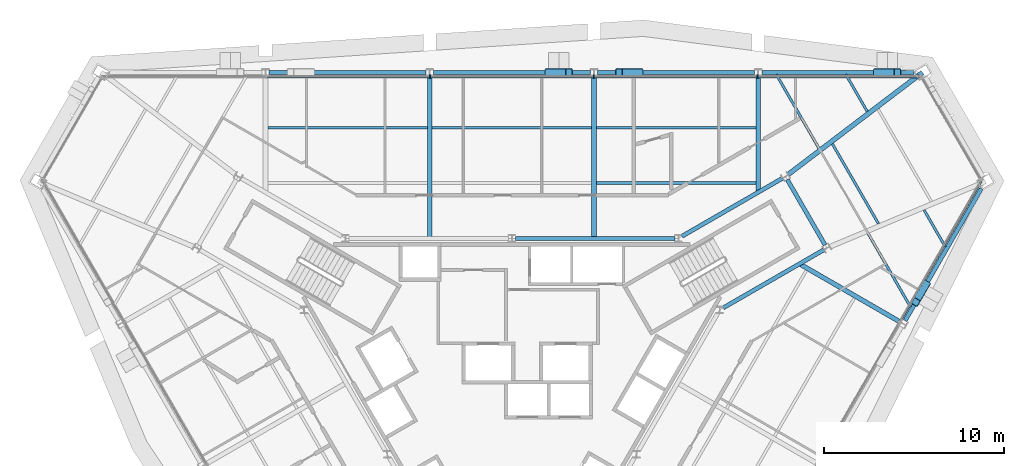
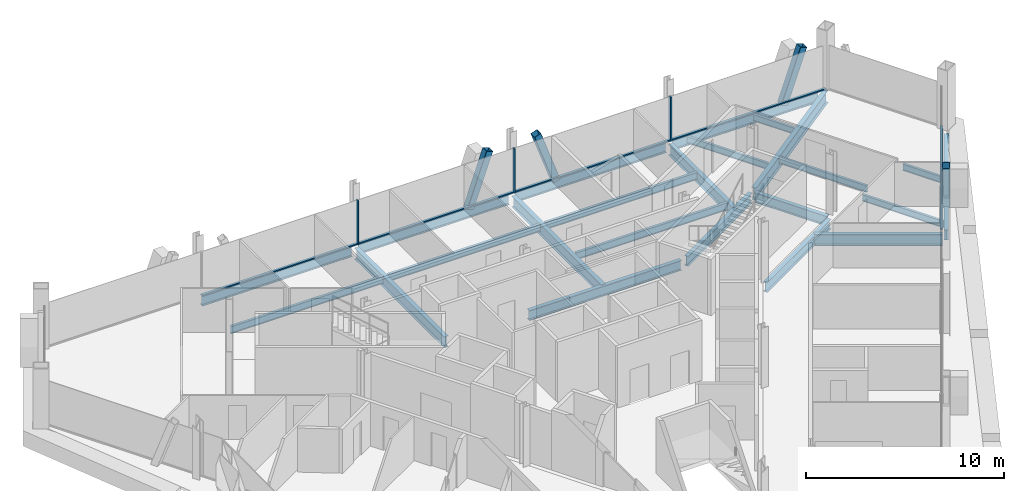
# One storey, part 7 of 15: 23 beams, 12 members, 2 elements without a shape of their own.
"""IFC4 building model written with IfcOpenShell, lengths in metres."""

from ifc_helpers import new_model, si_unit, direction, frame, origin, origin_2d, place, context, subcontext, project, spatial, rectangle, hollow_rectangle, i_section, extrude, material, material_profile, profile_set, type_object, element, aggregate, save


model = new_model("IFC4")

# Units and contexts
model_context = context("Model", 3, precision=1e-05, world=origin(), true_north=direction((0.0, 1.0)))
body_context = subcontext(model_context, "Body", "Model", "MODEL_VIEW")
ifc_project = project(units=[si_unit("LENGTHUNIT", "METRE"), si_unit("AREAUNIT", "SQUARE_METRE"), si_unit("VOLUMEUNIT", "CUBIC_METRE"), si_unit("PLANEANGLEUNIT", "RADIAN"), si_unit("MASSUNIT", "GRAM", prefix="KILO")], contexts=[model_context])

# Site, building, storey
site_placement = place(None, origin())
site = spatial("IfcSite", under=ifc_project, at=site_placement, CompositionType="ELEMENT")
building_placement = place(site_placement, origin())
building = spatial("IfcBuilding", under=site, at=building_placement, Name="Verrane Prism Tower", CompositionType="ELEMENT")
storey_placement = place(building_placement, frame((0.0, 0.0, 250.800048828125)))
storey = spatial("IfcBuildingStorey", under=building, at=storey_placement, Name="L63", CompositionType="ELEMENT", Elevation=250.800048828125)

# Beams
ifc_material_1 = material(Name="Steel A992", Category="steel")
ifc_material_profile_1 = material_profile(ifc_material_1, i_section(OverallWidth=0.23046875, OverallDepth=0.6171875, WebThickness=0.01318359375, FlangeThickness=0.022216796875, FilletRadius=0.012939453125, at=origin_2d()), Name="W24x94")
ifc_profile_set_1 = profile_set([ifc_material_profile_1], Name="Steel A992")
beam_type_1 = type_object("IfcBeamType", Name="Core ring girder W24x94", PredefinedType="BEAM", material=ifc_profile_set_1)
beam_1_placement = place(storey_placement, frame((11.759521484375, 4.135009765625, -0.55859375), z_axis=(0.866080992722, 0.499903704773, 0.0), x_axis=(-0.499903704773, 0.866080992722, 0.0)))
element("IfcBeam", 1, at=beam_1_placement, inside=storey, type_object=beam_type_1, Name="Core ring girder L63", PredefinedType="BEAM", context=body_context, shape_type="SweptSolid", body=[
    extrude(i_section(OverallWidth=0.23046875, OverallDepth=0.6171875, WebThickness=0.01318359375, FlangeThickness=0.022216796875, FilletRadius=0.012939453125, at=origin_2d()), origin(), (0.0, 0.0, 1.0), 6.451904296875),
])
beam_2_placement = place(storey_placement, frame((17.419677734375, 7.6337890625, -0.55859375), z_axis=(-0.500375511519, 0.865808493532, 0.0), x_axis=(-0.865808493532, -0.500375511519, 0.0)))
element("IfcBeam", 2, at=beam_2_placement, inside=storey, type_object=beam_type_1, Name="Core ring girder L63", PredefinedType="BEAM", context=body_context, shape_type="SweptSolid", body=[
    extrude(i_section(OverallWidth=0.23046875, OverallDepth=0.6171875, WebThickness=0.01318359375, FlangeThickness=0.022216796875, FilletRadius=0.012939453125, at=origin_2d()), origin(), (0.0, 0.0, 1.0), 4.195556640625),
])
beam_3_placement = place(storey_placement, frame((15.04736328125, 11.34033203125, -0.55859375), z_axis=(-0.866080992722, -0.499903704773, 0.0), x_axis=(0.499903704773, -0.866080992722, 0.0)))
element("IfcBeam", 3, at=beam_3_placement, inside=storey, type_object=beam_type_1, Name="Core ring girder L63", PredefinedType="BEAM", context=body_context, shape_type="SweptSolid", body=[
    extrude(i_section(OverallWidth=0.23046875, OverallDepth=0.6171875, WebThickness=0.01318359375, FlangeThickness=0.022216796875, FilletRadius=0.012939453125, at=origin_2d()), origin(), (0.0, 0.0, 1.0), 6.451904296875),
])
beam_4_placement = place(storey_placement, frame((9.060546875, 8.0, -0.55859375), z_axis=(-1.0, 0.0, 0.0), x_axis=(0.0, -1.0, 0.0)))
element("IfcBeam", 4, at=beam_4_placement, inside=storey, type_object=beam_type_1, Name="Core ring girder L63", PredefinedType="BEAM", context=body_context, shape_type="SweptSolid", body=[
    extrude(i_section(OverallWidth=0.23046875, OverallDepth=0.6171875, WebThickness=0.01318359375, FlangeThickness=0.022216796875, FilletRadius=0.012939453125, at=origin_2d()), origin(), (0.0, 0.0, 1.0), 8.861083984375),
])
ifc_material_2 = material(Name="Steel A992", Category="steel")
ifc_material_profile_2 = material_profile(ifc_material_2, i_section(OverallWidth=0.2666015625, OverallDepth=0.76708984375, WebThickness=0.014892578125, FlangeThickness=0.023681640625, FilletRadius=0.0166015625, at=origin_2d()), Name="W30x124")
ifc_profile_set_2 = profile_set([ifc_material_profile_2], Name="Steel A992")
beam_type_2 = type_object("IfcBeamType", Name="Corner girder W30x124", PredefinedType="BEAM", material=ifc_profile_set_2)
beam_5_placement = place(storey_placement, frame((22.838134765625, 17.228515625, -0.603515625), z_axis=(-0.796227983739, -0.604996692479, 0.0), x_axis=(0.604996692479, -0.796227983739, 0.0)))
element("IfcBeam", 5, at=beam_5_placement, inside=storey, type_object=beam_type_2, Name="Corner girder L63", PredefinedType="BEAM", context=body_context, shape_type="SweptSolid", body=[
    extrude(i_section(OverallWidth=0.2666015625, OverallDepth=0.76708984375, WebThickness=0.014892578125, FlangeThickness=0.023681640625, FilletRadius=0.0166015625, at=origin_2d()), origin(), (0.0, 0.0, 1.0), 9.366943359375),
])

# Members
ifc_material_3 = material(Name="Steel A500 Grade C", Category="steel")
ifc_material_profile_3 = material_profile(ifc_material_3, hollow_rectangle(XDim=0.406494140625, YDim=0.406494140625, WallThickness=0.01904296875, InnerFilletRadius=0.009521484375, OuterFilletRadius=0.028564453125, at=origin_2d()), Name="HSS16x16x3/4")
ifc_profile_set_3 = profile_set([ifc_material_profile_3], Name="Steel A500 Grade C")
member_type_1 = type_object("IfcMemberType", Name="Facade brace HSS16x16x3/4", PredefinedType="BRACE", material=ifc_profile_set_3)
member_1_placement = place(storey_placement, frame((20.3173828125, 17.22998046875, -0.216796875), z_axis=(0.332774905178, 0.0, 0.943006289737), x_axis=(0.0, 1.0, 0.0)))
element("IfcMember", 6, at=member_1_placement, inside=storey, type_object=member_type_1, Name="Facade brace N0 L63", PredefinedType="BRACE", context=body_context, shape_type="SweptSolid", body=[
    extrude(hollow_rectangle(XDim=0.406494140625, YDim=0.406494140625, WallThickness=0.01904296875, InnerFilletRadius=0.009521484375, OuterFilletRadius=0.028564453125, at=origin_2d()), origin(), (0.0, 0.0, 1.0), 3.389404296875),
])
member_2_placement = place(storey_placement, frame((7.08984375, 17.22998046875, -0.216796875), z_axis=(-0.332454583869, 0.0, 0.943119265875), x_axis=(0.0, -1.0, 0.0)))
element("IfcMember", 7, at=member_2_placement, inside=storey, type_object=member_type_1, Name="Facade brace N1 L63", PredefinedType="BRACE", context=body_context, shape_type="SweptSolid", body=[
    extrude(hollow_rectangle(XDim=0.406494140625, YDim=0.406494140625, WallThickness=0.01904296875, InnerFilletRadius=0.009521484375, OuterFilletRadius=0.028564453125, at=origin_2d()), origin(), (0.0, 0.0, 1.0), 3.38916015625),
])
for number, where, z_axis, x_axis, name in (
    (8, (2.047607421875, 17.22998046875, -0.216796875), (0.332710850126, 0.0, 0.943028891502), (0.0, 1.0, 0.0), "Facade brace N2 L63"),
    (9, (23.03125, 5.43310546875, -0.216796875), (-0.16639448811, -0.288056951494, 0.943046163781), (0.865915093549, -0.500191014278, 0.0), "Facade brace SE4 L63"),
):
    element("IfcMember", number, at=place(storey_placement, frame(where, z_axis=z_axis, x_axis=x_axis)), inside=storey, type_object=member_type_1, Name=name, PredefinedType="BRACE", context=body_context, shape_type="SweptSolid", body=[
        extrude(hollow_rectangle(XDim=0.406494140625, YDim=0.406494140625, WallThickness=0.01904296875, InnerFilletRadius=0.009521484375, OuterFilletRadius=0.028564453125, at=origin_2d()), origin(), (0.0, 0.0, 1.0), 3.389404296875),
    ])

# Beams
ifc_material_4 = material(Name="Steel A992", Category="steel")
ifc_material_profile_4 = material_profile(ifc_material_4, i_section(OverallWidth=0.140380859375, OverallDepth=0.40380859375, WebThickness=0.007080078125, FlangeThickness=0.01123046875, FilletRadius=0.01025390625, at=origin_2d()), Name="W16x31")
ifc_profile_set_4 = profile_set([ifc_material_profile_4], Name="Steel A992")
beam_type_3 = type_object("IfcBeamType", Name="Floor beam W16x31", PredefinedType="BEAM", material=ifc_profile_set_4)
beam_6_placement = place(storey_placement, frame((19.7626953125, 15.0595703125, -0.362060546875), z_axis=(-0.499945073215, 0.866057113456, 0.0), x_axis=(-0.866057113456, -0.499945073215, 0.0)))
element("IfcBeam", 10, at=beam_6_placement, inside=storey, type_object=beam_type_3, Name="Floor beam L63", PredefinedType="BEAM", context=body_context, shape_type="SweptSolid", body=[
    extrude(i_section(OverallWidth=0.140380859375, OverallDepth=0.40380859375, WebThickness=0.007080078125, FlangeThickness=0.01123046875, FilletRadius=0.01025390625, at=origin_2d()), origin(), (0.0, 0.0, 1.0), 2.373291015625),
])
beam_7_placement = place(storey_placement, frame((17.073974609375, 13.016357421875, -0.362060546875), z_axis=(-0.499978475836, 0.86603783041, 0.0), x_axis=(-0.86603783041, -0.499978475836, 0.0)))
element("IfcBeam", 11, at=beam_7_placement, inside=storey, type_object=beam_type_3, Name="Floor beam L63", PredefinedType="BEAM", context=body_context, shape_type="SweptSolid", body=[
    extrude(i_section(OverallWidth=0.140380859375, OverallDepth=0.40380859375, WebThickness=0.007080078125, FlangeThickness=0.01123046875, FilletRadius=0.01025390625, at=origin_2d()), origin(), (0.0, 0.0, 1.0), 4.732666015625),
])
beam_8_placement = place(storey_placement, frame((24.10888671875, 7.528076171875, -0.362060546875), z_axis=(-0.500025443912, 0.866010713236, 0.0), x_axis=(-0.866010713236, -0.500025443912, 0.0)))
element("IfcBeam", 12, at=beam_8_placement, inside=storey, type_object=beam_type_3, Name="Floor beam L63", PredefinedType="BEAM", context=body_context, shape_type="SweptSolid", body=[
    extrude(i_section(OverallWidth=0.140380859375, OverallDepth=0.40380859375, WebThickness=0.007080078125, FlangeThickness=0.01123046875, FilletRadius=0.01025390625, at=origin_2d()), origin(), (0.0, 0.0, 1.0), 2.37158203125),
])
beam_9_placement = place(storey_placement, frame((22.175048828125, 4.180908203125, -0.362060546875), z_axis=(-0.49998166818, 0.866035987407, 0.0), x_axis=(-0.866035987407, -0.49998166818, 0.0)))
element("IfcBeam", 13, at=beam_9_placement, inside=storey, type_object=beam_type_3, Name="Floor beam L63", PredefinedType="BEAM", context=body_context, shape_type="SweptSolid", body=[
    extrude(i_section(OverallWidth=0.140380859375, OverallDepth=0.40380859375, WebThickness=0.007080078125, FlangeThickness=0.01123046875, FilletRadius=0.01025390625, at=origin_2d()), origin(), (0.0, 0.0, 1.0), 4.728759765625),
])
beam_10_placement = place(storey_placement, frame((20.392822265625, 8.809814453125, -0.362060546875), z_axis=(-0.499987429501, 0.866032661244, 0.0), x_axis=(-0.866032661244, -0.499987429501, 0.0)))
element("IfcBeam", 14, at=beam_10_placement, inside=storey, type_object=beam_type_3, Name="Floor beam L63", PredefinedType="BEAM", context=body_context, shape_type="SweptSolid", body=[
    extrude(i_section(OverallWidth=0.140380859375, OverallDepth=0.40380859375, WebThickness=0.007080078125, FlangeThickness=0.01123046875, FilletRadius=0.01025390625, at=origin_2d()), origin(), (0.0, 0.0, 1.0), 5.131103515625),
])
ifc_material_5 = material(Name="Steel A992", Category="steel")
ifc_material_profile_5 = material_profile(ifc_material_5, i_section(OverallWidth=0.15234375, OverallDepth=0.449462890625, WebThickness=0.007568359375, FlangeThickness=0.0107421875, FilletRadius=0.01025390625, at=origin_2d()), Name="W18x35")
ifc_profile_set_5 = profile_set([ifc_material_profile_5], Name="Steel A992")
beam_type_4 = type_object("IfcBeamType", Name="Floor beam W18x35", PredefinedType="BEAM", material=ifc_profile_set_5)
for number, where, z_axis, x_axis, name in (
    (15, (4.697021484375, 11.07666015625, -0.384765625), (1.0, 0.0, 0.0), (0.0, 1.0, 0.0), "Floor beam L63"),
    (16, (4.697021484375, 14.1533203125, -0.384765625), (1.0, 0.0, 0.0), (0.0, 1.0, 0.0), "Floor beam L63"),
):
    element("IfcBeam", number, at=place(storey_placement, frame(where, z_axis=z_axis, x_axis=x_axis)), inside=storey, type_object=beam_type_4, Name=name, PredefinedType="BEAM", context=body_context, shape_type="SweptSolid", body=[
        extrude(i_section(OverallWidth=0.15234375, OverallDepth=0.449462890625, WebThickness=0.007568359375, FlangeThickness=0.0107421875, FilletRadius=0.01025390625, at=origin_2d()), origin(), (0.0, 0.0, 1.0), 8.8759765625),
    ])
beam_11_placement = place(storey_placement, frame((-4.443115234375, 14.1533203125, -0.384765625), z_axis=(1.0, 0.0, 0.0), x_axis=(0.0, 1.0, 0.0)))
element("IfcBeam", 17, at=beam_11_placement, inside=storey, type_object=beam_type_4, Name="Floor beam L63", PredefinedType="BEAM", context=body_context, shape_type="SweptSolid", body=[
    extrude(i_section(OverallWidth=0.15234375, OverallDepth=0.449462890625, WebThickness=0.007568359375, FlangeThickness=0.0107421875, FilletRadius=0.01025390625, at=origin_2d()), origin(), (0.0, 0.0, 1.0), 8.88623046875),
])
beam_12_placement = place(storey_placement, frame((-13.572998046875, 14.1533203125, -0.384765625), z_axis=(1.0, 0.0, 0.0), x_axis=(0.0, 1.0, 0.0)))
element("IfcBeam", 18, at=beam_12_placement, inside=storey, type_object=beam_type_4, Name="Floor beam L63", PredefinedType="BEAM", context=body_context, shape_type="SweptSolid", body=[
    extrude(i_section(OverallWidth=0.15234375, OverallDepth=0.449462890625, WebThickness=0.007568359375, FlangeThickness=0.0107421875, FilletRadius=0.01025390625, at=origin_2d()), origin(), (0.0, 0.0, 1.0), 8.8759765625),
])

# Curtain wall, members
ifc_material_6 = material(Name="Aluminium framed insulated glazing", Category="aluminium")
curtain_wall_type = type_object("IfcCurtainWallType", Name="Curtain wall CW-A 8400 module", PredefinedType="NOTDEFINED", material=ifc_material_6)
curtain_wall_1_placement = place(storey_placement, origin())
curtain_wall_1 = element("IfcCurtainWall", 19, at=curtain_wall_1_placement, inside=storey, type_object=curtain_wall_type, Name="Glazed curtain wall north face L63", PredefinedType="NOTDEFINED")
ifc_material_7 = material(Name="Aluminium alloy 6063-T6", Category="aluminium")
ifc_material_profile_6 = material_profile(ifc_material_7, rectangle(XDim=0.199951171875, YDim=0.070068359375, at=origin_2d()), Name="Mullion 70x200 aluminium")
ifc_profile_set_6 = profile_set([ifc_material_profile_6], Name="Aluminium alloy 6063-T6")
member_type_2 = type_object("IfcMemberType", Name="Mullion 70x200 aluminium", PredefinedType="MULLION", material=ifc_profile_set_6)
member_3_placement = place(storey_placement, frame((13.658447265625, 17.001708984375, 0.0), z_axis=(0.0, 0.0, 1.0), x_axis=(0.0, -1.0, 0.0)))
member_3 = element("IfcMember", 20, at=member_3_placement, type_object=member_type_2, Name="CW62.2 mullion 2", PredefinedType="MULLION", context=body_context, shape_type="SweptSolid", body=[
    extrude(rectangle(XDim=0.199951171875, YDim=0.070068359375, at=origin_2d()), origin(), (0.0, 0.0, 1.0), 2.712890625),
])
member_4_placement = place(storey_placement, frame((4.552734375, 17.001708984375, 0.0), z_axis=(0.0, 0.0, 1.0), x_axis=(0.0, -1.0, 0.0)))
member_4 = element("IfcMember", 21, at=member_4_placement, type_object=member_type_2, Name="CW62.2 mullion 3", PredefinedType="MULLION", context=body_context, shape_type="SweptSolid", body=[
    extrude(rectangle(XDim=0.199951171875, YDim=0.070068359375, at=origin_2d()), origin(), (0.0, 0.0, 1.0), 2.712890625),
])
member_5_placement = place(storey_placement, frame((-4.552734375, 17.001708984375, 0.0), z_axis=(0.0, 0.0, 1.0), x_axis=(0.0, -1.0, 0.0)))
member_5 = element("IfcMember", 22, at=member_5_placement, type_object=member_type_2, Name="CW62.2 mullion 4", PredefinedType="MULLION", context=body_context, shape_type="SweptSolid", body=[
    extrude(rectangle(XDim=0.199951171875, YDim=0.070068359375, at=origin_2d()), origin(), (0.0, 0.0, 1.0), 2.712890625),
])

# Beams
ifc_material_8 = material(Name="Steel A992", Category="steel")
ifc_material_profile_7 = material_profile(ifc_material_8, i_section(OverallWidth=0.25390625, OverallDepth=0.683349609375, WebThickness=0.012451171875, FlangeThickness=0.01904296875, FilletRadius=0.01513671875, at=origin_2d()), Name="W27x94")
ifc_profile_set_7 = profile_set([ifc_material_profile_7], Name="Steel A992")
beam_type_5 = type_object("IfcBeamType", Name="Radial girder W27x94", PredefinedType="BEAM", material=ifc_profile_set_7)
beam_13_placement = place(storey_placement, frame((13.699951171875, 17.037109375, -0.561767578125), z_axis=(0.0, -1.0, 0.0), x_axis=(1.0, 0.0, 0.0)))
element("IfcBeam", 23, at=beam_13_placement, inside=storey, type_object=beam_type_5, Name="Radial girder L63", PredefinedType="BEAM", context=body_context, shape_type="SweptSolid", body=[
    extrude(i_section(OverallWidth=0.25390625, OverallDepth=0.683349609375, WebThickness=0.012451171875, FlangeThickness=0.01904296875, FilletRadius=0.01513671875, at=origin_2d()), origin(), (0.0, 0.0, 1.0), 6.474365234375),
])
for number, where, z_axis, x_axis, name in (
    (24, (4.570068359375, 17.037109375, -0.561767578125), (0.0, -1.0, 0.0), (1.0, 0.0, 0.0), "Radial girder L63"),
    (25, (-4.570068359375, 17.037109375, -0.561767578125), (0.0, -1.0, 0.0), (1.0, 0.0, 0.0), "Radial girder L63"),
):
    element("IfcBeam", number, at=place(storey_placement, frame(where, z_axis=z_axis, x_axis=x_axis)), inside=storey, type_object=beam_type_5, Name=name, PredefinedType="BEAM", context=body_context, shape_type="SweptSolid", body=[
        extrude(i_section(OverallWidth=0.25390625, OverallDepth=0.683349609375, WebThickness=0.012451171875, FlangeThickness=0.01904296875, FilletRadius=0.01513671875, at=origin_2d()), origin(), (0.0, 0.0, 1.0), 9.037109375),
    ])
beam_14_placement = place(storey_placement, frame((21.602783203125, 3.346435546875, -0.561767578125), z_axis=(-0.866017203851, 0.500014202433, 0.0), x_axis=(-0.500014202433, -0.866017203851, 0.0)))
element("IfcBeam", 26, at=beam_14_placement, inside=storey, type_object=beam_type_5, Name="Radial girder L63", PredefinedType="BEAM", context=body_context, shape_type="SweptSolid", body=[
    extrude(i_section(OverallWidth=0.25390625, OverallDepth=0.683349609375, WebThickness=0.012451171875, FlangeThickness=0.01904296875, FilletRadius=0.01513671875, at=origin_2d()), origin(), (0.0, 0.0, 1.0), 6.470947265625),
])
ifc_material_9 = material(Name="Steel A992", Category="steel")
ifc_material_profile_8 = material_profile(ifc_material_9, i_section(OverallWidth=0.23046875, OverallDepth=0.6171875, WebThickness=0.01318359375, FlangeThickness=0.022216796875, FilletRadius=0.012939453125, at=origin_2d()), Name="W24x94")
ifc_profile_set_8 = profile_set([ifc_material_profile_8], Name="Steel A992")
beam_type_6 = type_object("IfcBeamType", Name="Spandrel beam W24x94", PredefinedType="SPANDREL", material=ifc_profile_set_8)
beam_15_placement = place(storey_placement, frame((22.378173828125, 17.22998046875, -0.46875), z_axis=(-1.0, 0.0, 0.0), x_axis=(0.0, -1.0, 0.0)))
element("IfcBeam", 27, at=beam_15_placement, inside=storey, type_object=beam_type_6, Name="Spandrel beam L63", PredefinedType="SPANDREL", context=body_context, shape_type="SweptSolid", body=[
    extrude(i_section(OverallWidth=0.23046875, OverallDepth=0.6171875, WebThickness=0.01318359375, FlangeThickness=0.022216796875, FilletRadius=0.012939453125, at=origin_2d()), origin(), (0.0, 0.0, 1.0), 8.478759765625),
])
beam_16_placement = place(storey_placement, frame((13.50048828125, 17.22998046875, -0.46875), z_axis=(-1.0, 0.0, 0.0), x_axis=(0.0, -1.0, 0.0)))
element("IfcBeam", 28, at=beam_16_placement, inside=storey, type_object=beam_type_6, Name="Spandrel beam L63", PredefinedType="SPANDREL", context=body_context, shape_type="SweptSolid", body=[
    extrude(i_section(OverallWidth=0.23046875, OverallDepth=0.6171875, WebThickness=0.01318359375, FlangeThickness=0.022216796875, FilletRadius=0.012939453125, at=origin_2d()), origin(), (0.0, 0.0, 1.0), 8.731201171875),
])
beam_17_placement = place(storey_placement, frame((4.37060546875, 17.22998046875, -0.46875), z_axis=(-1.0, 0.0, 0.0), x_axis=(0.0, -1.0, 0.0)))
element("IfcBeam", 29, at=beam_17_placement, inside=storey, type_object=beam_type_6, Name="Spandrel beam L63", PredefinedType="SPANDREL", context=body_context, shape_type="SweptSolid", body=[
    extrude(i_section(OverallWidth=0.23046875, OverallDepth=0.6171875, WebThickness=0.01318359375, FlangeThickness=0.022216796875, FilletRadius=0.012939453125, at=origin_2d()), origin(), (0.0, 0.0, 1.0), 8.7412109375),
])
beam_18_placement = place(storey_placement, frame((-4.769287109375, 17.22998046875, -0.46875), z_axis=(-1.0, 0.0, 0.0), x_axis=(0.0, -1.0, 0.0)))
element("IfcBeam", 30, at=beam_18_placement, inside=storey, type_object=beam_type_6, Name="Spandrel beam L63", PredefinedType="SPANDREL", context=body_context, shape_type="SweptSolid", body=[
    extrude(i_section(OverallWidth=0.23046875, OverallDepth=0.6171875, WebThickness=0.01318359375, FlangeThickness=0.022216796875, FilletRadius=0.012939453125, at=origin_2d()), origin(), (0.0, 0.0, 1.0), 8.731201171875),
])
beam_19_placement = place(storey_placement, frame((21.86962890625, 3.422607421875, -0.46875), z_axis=(0.500266077884, 0.865871729137, 0.0), x_axis=(-0.865871729137, 0.500266077884, 0.0)))
element("IfcBeam", 31, at=beam_19_placement, inside=storey, type_object=beam_type_6, Name="Spandrel beam L63", PredefinedType="SPANDREL", context=body_context, shape_type="SweptSolid", body=[
    extrude(i_section(OverallWidth=0.23046875, OverallDepth=0.6171875, WebThickness=0.01318359375, FlangeThickness=0.022216796875, FilletRadius=0.012939453125, at=origin_2d()), origin(), (0.0, 0.0, 1.0), 8.47412109375),
])

# Member
ifc_material_10 = material(Name="Aluminium alloy 6063-T6", Category="aluminium")
ifc_material_profile_9 = material_profile(ifc_material_10, rectangle(XDim=0.14990234375, YDim=0.070068359375, at=origin_2d()), Name="Transom 70x150 aluminium")
ifc_profile_set_9 = profile_set([ifc_material_profile_9], Name="Aluminium alloy 6063-T6")
member_type_3 = type_object("IfcMemberType", Name="Transom 70x150 aluminium", PredefinedType="USERDEFINED", material=ifc_profile_set_9)
member_6_placement = place(storey_placement, frame((22.694091796875, 17.001708984375, 0.034912109375), z_axis=(-1.0, 0.0, 0.0), x_axis=(0.0, -1.0, 0.0)))
member_6 = element("IfcMember", 32, at=member_6_placement, type_object=member_type_3, Name="CW62.2 transom 1", ObjectType="TRANSOM", PredefinedType="USERDEFINED", context=body_context, shape_type="SweptSolid", body=[
    extrude(rectangle(XDim=0.14990234375, YDim=0.070068359375, at=origin_2d()), origin(), (0.0, 0.0, 1.0), 9.000732421875),
])

member_7_placement = place(storey_placement, frame((13.62353515625, 17.001708984375, 0.034912109375), z_axis=(-1.0, 0.0, 0.0), x_axis=(0.0, -1.0, 0.0)))
member_7 = element("IfcMember", 33, at=member_7_placement, type_object=member_type_3, Name="CW62.2 transom 2", ObjectType="TRANSOM", PredefinedType="USERDEFINED", context=body_context, shape_type="SweptSolid", body=[
    extrude(rectangle(XDim=0.14990234375, YDim=0.070068359375, at=origin_2d()), origin(), (0.0, 0.0, 1.0), 9.03564453125),
])

member_8_placement = place(storey_placement, frame((4.517822265625, 17.001708984375, 0.034912109375), z_axis=(-1.0, 0.0, 0.0), x_axis=(0.0, -1.0, 0.0)))
member_8 = element("IfcMember", 34, at=member_8_placement, type_object=member_type_3, Name="CW62.2 transom 3", ObjectType="TRANSOM", PredefinedType="USERDEFINED", context=body_context, shape_type="SweptSolid", body=[
    extrude(rectangle(XDim=0.14990234375, YDim=0.070068359375, at=origin_2d()), origin(), (0.0, 0.0, 1.0), 9.03564453125),
])

member_9_placement = place(storey_placement, frame((-4.587890625, 17.001708984375, 0.034912109375), z_axis=(-1.0, 0.0, 0.0), x_axis=(0.0, -1.0, 0.0)))
member_9 = element("IfcMember", 35, at=member_9_placement, type_object=member_type_3, Name="CW62.2 transom 4", ObjectType="TRANSOM", PredefinedType="USERDEFINED", context=body_context, shape_type="SweptSolid", body=[
    extrude(rectangle(XDim=0.14990234375, YDim=0.070068359375, at=origin_2d()), origin(), (0.0, 0.0, 1.0), 9.03564453125),
])

aggregate(curtain_wall_1, [member_3, member_4, member_5, member_6, member_7, member_8, member_9])

# Curtain wall, member
curtain_wall_2_placement = place(storey_placement, origin())
curtain_wall_2 = element("IfcCurtainWall", 36, at=curtain_wall_2_placement, inside=storey, type_object=curtain_wall_type, Name="Glazed curtain wall south-east face L63", PredefinedType="NOTDEFINED")
member_10_placement = place(storey_placement, frame((21.57080078125, 3.35791015625, 0.034912109375), z_axis=(0.499983401189, 0.8660349869, 0.0), x_axis=(-0.8660349869, 0.499983401189, 0.0)))
member_10 = element("IfcMember", 37, at=member_10_placement, type_object=member_type_3, Name="CW62.6 transom 5", ObjectType="TRANSOM", PredefinedType="USERDEFINED", context=body_context, shape_type="SweptSolid", body=[
    extrude(rectangle(XDim=0.14990234375, YDim=0.070068359375, at=origin_2d()), origin(), (0.0, 0.0, 1.0), 9.070556640625),
])
aggregate(curtain_wall_2, [member_10])

save(model, "model.ifc")
